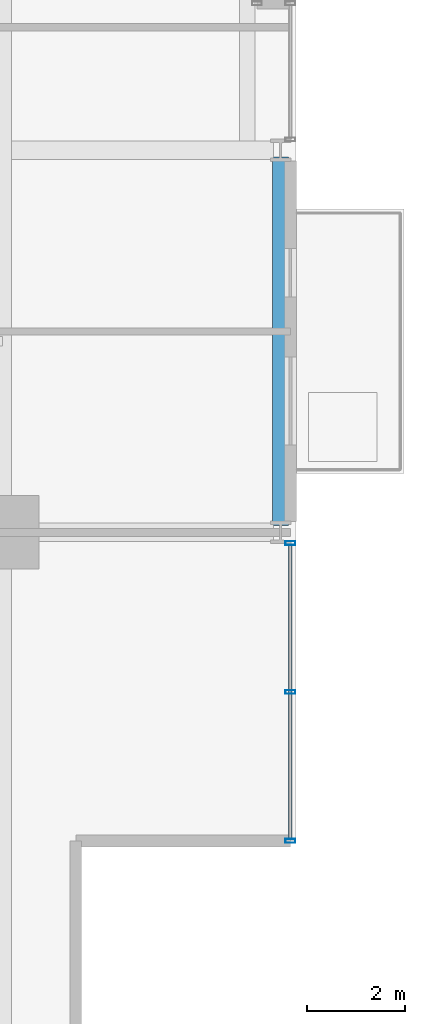
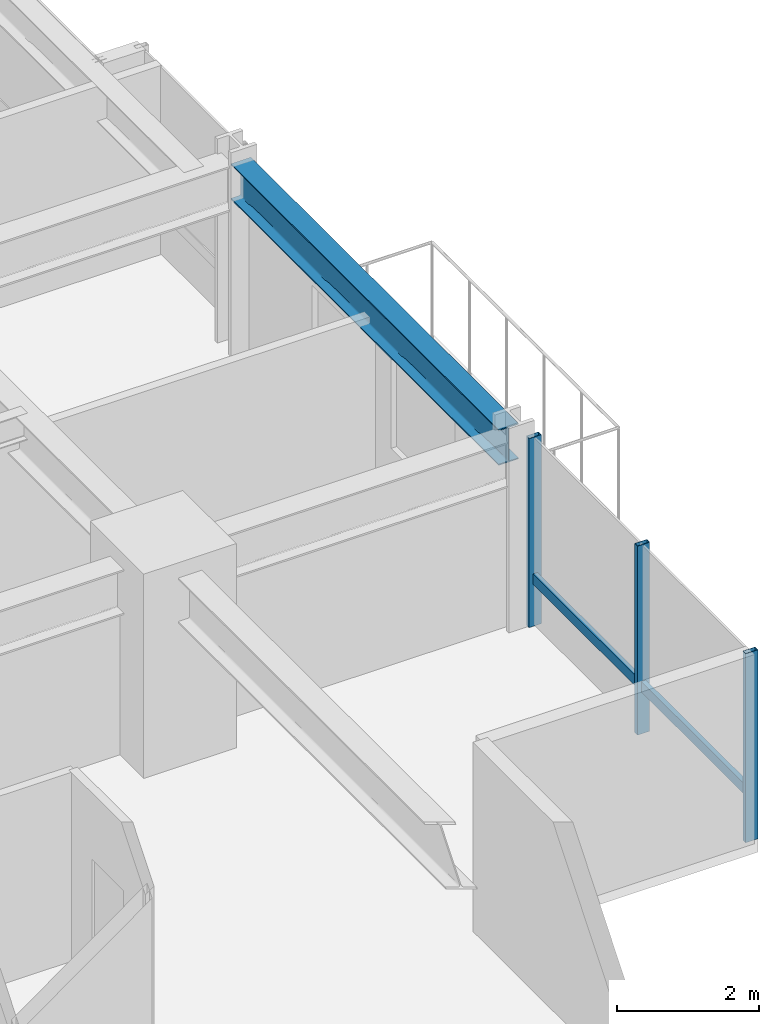
# One storey, part 13 of 35: 4 members, 1 beam, 1 element without a shape of its own.
"""IFC4 building model written with IfcOpenShell, lengths in metres."""

from ifc_helpers import new_model, si_unit, direction, frame, origin, origin_2d, place, context, subcontext, project, spatial, hollow_rectangle, i_section, extrude, material, layer, layer_set, material_profile, profile_set, type_object, element, aggregate, save


model = new_model("IFC4")

# Units and contexts
model_context = context("Model", 3, precision=1e-05, world=origin(), true_north=direction((0.0, 1.0)))
body_context = subcontext(model_context, "Body", "Model", "MODEL_VIEW")
ifc_project = project(units=[si_unit("LENGTHUNIT", "METRE"), si_unit("AREAUNIT", "SQUARE_METRE"), si_unit("VOLUMEUNIT", "CUBIC_METRE"), si_unit("PLANEANGLEUNIT", "RADIAN"), si_unit("MASSUNIT", "GRAM", prefix="KILO")], contexts=[model_context])

# Site, building, storey
site_placement = place(None, origin())
site = spatial("IfcSite", under=ifc_project, at=site_placement, CompositionType="ELEMENT")
building_placement = place(site_placement, origin())
building = spatial("IfcBuilding", under=site, at=building_placement, Name="Drelvath Grand Hotel", CompositionType="ELEMENT")
storey_placement = place(building_placement, frame((0.0, 0.0, 95.300048828125)))
storey = spatial("IfcBuildingStorey", under=building, at=storey_placement, Name="L23", CompositionType="ELEMENT", Elevation=95.300048828125)

# Curtain wall, members
ifc_material_1 = material(Name="Champagne Bronze Anodised Aluminium Frame", Category="aluminium")
ifc_layer = layer(ifc_material_1, 0.199951171875)
ifc_layer_set = layer_set([ifc_layer], Name="Champagne Bronze Anodised Aluminium Frame")
curtain_wall_type = type_object("IfcCurtainWallType", Name="Stick Curtain Wall CW-03 Champagne Bronze Mid-Rise", PredefinedType="NOTDEFINED", material=ifc_layer_set)
curtain_wall_placement = place(storey_placement, origin())
curtain_wall = element("IfcCurtainWall", 1, at=curtain_wall_placement, inside=storey, type_object=curtain_wall_type, Name="L23 CW-03 Curtain Wall CW03-L23-ES1", PredefinedType="NOTDEFINED")
ifc_material_profile_1 = material_profile(ifc_material_1, hollow_rectangle(XDim=0.074951171875, YDim=0.179931640625, WallThickness=0.0048828125, at=origin_2d()), Name="HSS180X75X5")
ifc_profile_set_1 = profile_set([ifc_material_profile_1], Name="Champagne Bronze Anodised Aluminium Frame")
member_type_1 = type_object("IfcMemberType", Name="Curtain Wall Horizontal Transom CW-03 HSS180X75X5", PredefinedType="USERDEFINED", material=ifc_profile_set_1)
member_1_placement = place(storey_placement, frame((22.080078125, 10.540283203125, 0.81005859375), z_axis=(0.0, -1.0, 0.0), x_axis=(1.0, 0.0, 0.0)))
member_1 = element("IfcMember", 2, at=member_1_placement, type_object=member_type_1, Name="CW03-L23-ES1 Sill Transom", ObjectType="TRANSOM", PredefinedType="USERDEFINED", context=body_context, shape_type="SweptSolid", body=[
    extrude(hollow_rectangle(XDim=0.074951171875, YDim=0.179931640625, WallThickness=0.0048828125, at=origin_2d()), origin(), (0.0, 0.0, 1.0), 6.000244140625),
])
ifc_material_profile_2 = material_profile(ifc_material_1, hollow_rectangle(XDim=0.080078125, YDim=0.199951171875, WallThickness=0.0048828125, at=origin_2d()), Name="HSS200X80X5")
ifc_profile_set_2 = profile_set([ifc_material_profile_2], Name="Champagne Bronze Anodised Aluminium Frame")
member_type_2 = type_object("IfcMemberType", Name="Curtain Wall Vertical Mullion CW-03 HSS200X80X5", PredefinedType="MULLION", material=ifc_profile_set_2)
member_2_placement = place(storey_placement, frame((22.080078125, 10.580322265625, 0.0), z_axis=(0.0, 0.0, 1.0), x_axis=(0.0, 1.0, 0.0)))
member_2 = element("IfcMember", 3, at=member_2_placement, type_object=member_type_2, Name="CW03-L23-ES1 Mullion 1", PredefinedType="MULLION", context=body_context, shape_type="SweptSolid", body=[
    extrude(hollow_rectangle(XDim=0.080078125, YDim=0.199951171875, WallThickness=0.0048828125, at=origin_2d()), origin(), (0.0, 0.0, 1.0), 3.239990234375),
])
member_3_placement = place(storey_placement, frame((22.080078125, 7.540283203125, 0.0), z_axis=(0.0, 0.0, 1.0), x_axis=(0.0, 1.0, 0.0)))
member_3 = element("IfcMember", 4, at=member_3_placement, type_object=member_type_2, Name="CW03-L23-ES1 Mullion 2", PredefinedType="MULLION", context=body_context, shape_type="SweptSolid", body=[
    extrude(hollow_rectangle(XDim=0.080078125, YDim=0.199951171875, WallThickness=0.0048828125, at=origin_2d()), origin(), (0.0, 0.0, 1.0), 3.239990234375),
])
member_4_placement = place(storey_placement, frame((22.080078125, 4.5, 0.0), z_axis=(0.0, 0.0, 1.0), x_axis=(0.0, 1.0, 0.0)))
member_4 = element("IfcMember", 5, at=member_4_placement, type_object=member_type_2, Name="CW03-L23-ES1 Mullion 3", PredefinedType="MULLION", context=body_context, shape_type="SweptSolid", body=[
    extrude(hollow_rectangle(XDim=0.080078125, YDim=0.199951171875, WallThickness=0.0048828125, at=origin_2d()), origin(), (0.0, 0.0, 1.0), 3.239990234375),
])
aggregate(curtain_wall, [member_2, member_3, member_4, member_1])

# Beam
ifc_material_2 = material(Name="Steel ASTM A992 Gr 50", Category="steel")
ifc_material_profile_3 = material_profile(ifc_material_2, i_section(OverallWidth=0.323974609375, OverallDepth=0.611083984375, WebThickness=0.0126953125, FlangeThickness=0.01904296875, FilletRadius=0.02197265625, at=origin_2d()), Name="W24X104")
ifc_profile_set_3 = profile_set([ifc_material_profile_3], Name="Steel ASTM A992 Gr 50")
beam_type = type_object("IfcBeamType", Name="Perimeter Spandrel Beam W24X104", PredefinedType="SPANDREL", material=ifc_profile_set_3)
beam_placement = place(storey_placement, frame((21.8798828125, 10.93994140625, 2.9345703125), z_axis=(0.0, 1.0, 0.0), x_axis=(-1.0, 0.0, 0.0)))
element("IfcBeam", 6, at=beam_placement, inside=storey, type_object=beam_type, Name="L23 Spandrel East S", PredefinedType="SPANDREL", context=body_context, shape_type="SweptSolid", body=[
    extrude(i_section(OverallWidth=0.323974609375, OverallDepth=0.611083984375, WebThickness=0.0126953125, FlangeThickness=0.01904296875, FilletRadius=0.02197265625, at=origin_2d()), origin(), (0.0, 0.0, 1.0), 7.52001953125),
])

save(model, "model.ifc")
